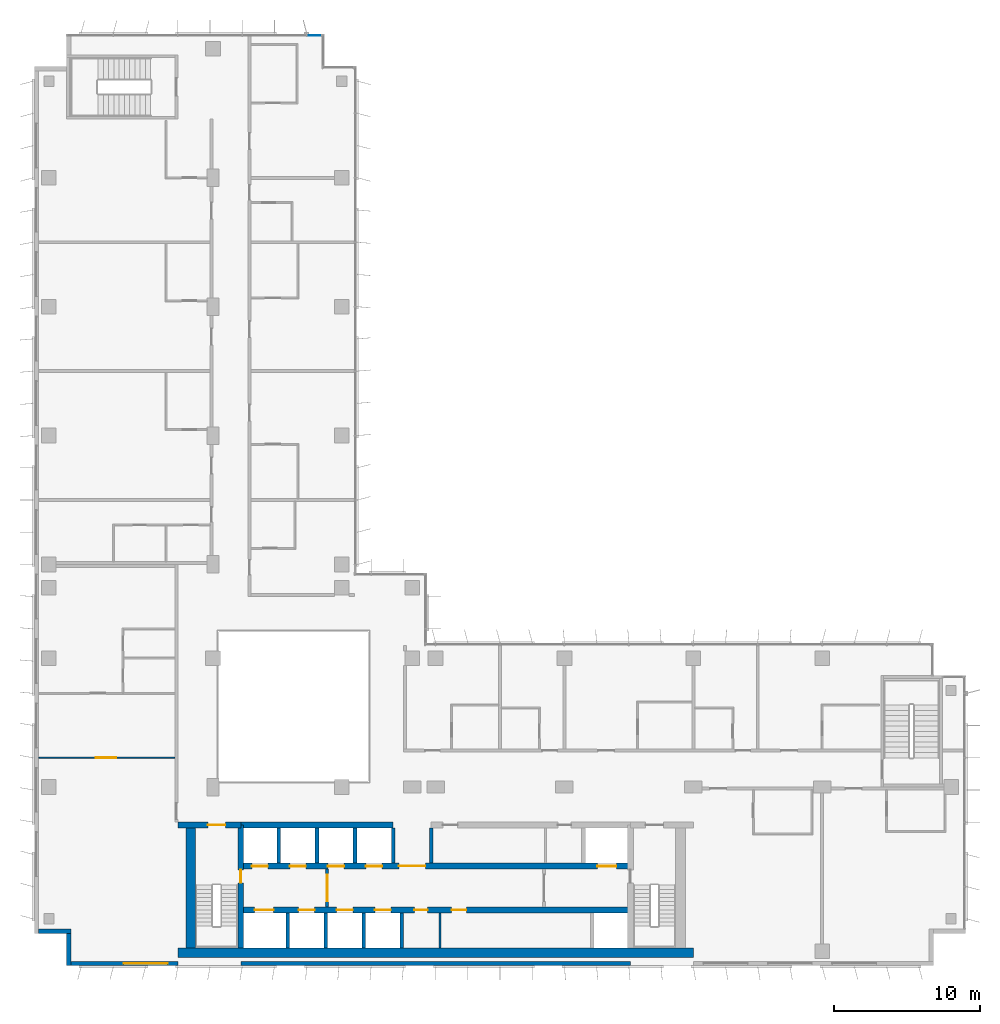
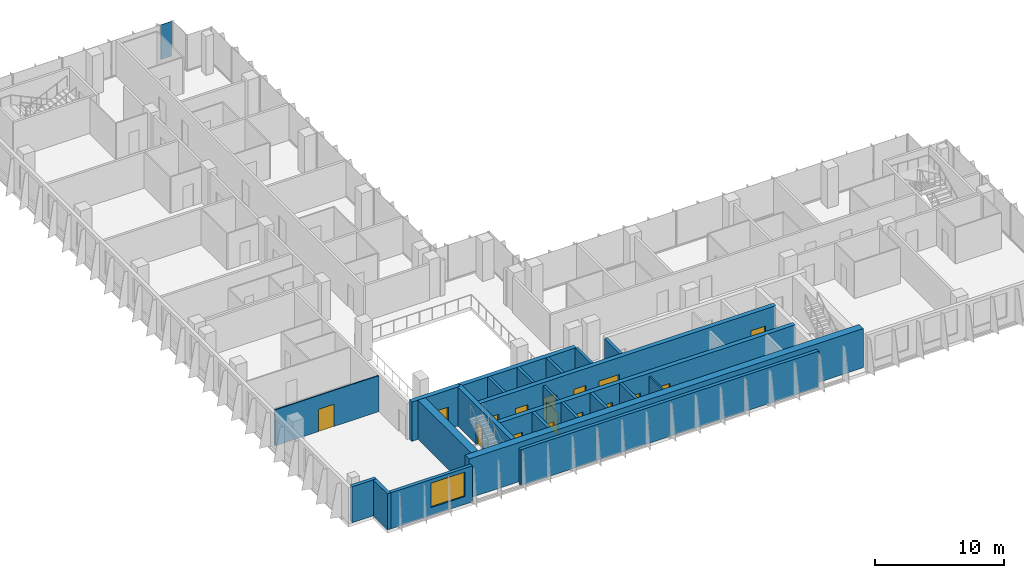
# One storey, part 12 of 20: 23 walls, 16 doors, 1 plate, 1 window, 17 openings, 1 element without a shape of its own.
"""IFC4 building model written with IfcOpenShell, lengths in metres."""

from ifc_helpers import new_model, si_unit, direction, frame, frame_2d, origin, origin_2d, place, context, subcontext, project, spatial, rectangle, extrude, source, transform, mapped, material, layer, layer_set, type_object, element, fill, aggregate, save


model = new_model("IFC4")

# Units and contexts
model_context = context("Model", 3, precision=1e-05, world=origin(), true_north=direction((0.0, 1.0)))
body_context = subcontext(model_context, "Body", "Model", "MODEL_VIEW")
ifc_project = project(units=[si_unit("LENGTHUNIT", "METRE"), si_unit("AREAUNIT", "SQUARE_METRE"), si_unit("VOLUMEUNIT", "CUBIC_METRE"), si_unit("PLANEANGLEUNIT", "RADIAN"), si_unit("MASSUNIT", "GRAM", prefix="KILO")], contexts=[model_context])

# Site, building, storey
site_placement = place(None, origin())
site = spatial("IfcSite", under=ifc_project, at=site_placement, CompositionType="ELEMENT")
building_placement = place(site_placement, origin())
building = spatial("IfcBuilding", under=site, at=building_placement, Name="Kemantara Hotel Tower", CompositionType="ELEMENT")
storey_placement = place(building_placement, frame((0.0, 0.0, 186.39990234375)))
storey = spatial("IfcBuildingStorey", under=building, at=storey_placement, Name="L46", CompositionType="ELEMENT", Elevation=186.39990234375)

# Curtain wall, plate
ifc_material_1 = material(Name="Low-E tinted double insulated glass 36 mm", Category="glass")
curtain_wall_type = type_object("IfcCurtainWallType", Name="TOWER CURTAIN WALL, FRONT FACES", PredefinedType="USERDEFINED", material=ifc_material_1)
curtain_wall_placement = place(storey_placement, origin())
curtain_wall = element("IfcCurtainWall", 1, at=curtain_wall_placement, inside=storey, type_object=curtain_wall_type, Name="CW4 L46 T3-R02-1", ObjectType="TOWER CURTAIN WALL, FRONT FACES", PredefinedType="USERDEFINED")
ifc_layer_1 = layer(ifc_material_1, 0.035888671875)
ifc_layer_set_1 = layer_set([ifc_layer_1], Name="Low-E tinted double insulated glass 36 mm")
plate_type = type_object("IfcPlateType", Name="TOWER CURTAIN WALL, FRONT FACES PANEL", PredefinedType="CURTAIN_PANEL", material=ifc_layer_set_1)
shared_shape = source(origin(), body_context, "Body", "SweptSolid", [
    extrude(rectangle(XDim=0.9599609375, YDim=0.035888671875, at=origin_2d()), origin(), (0.0, 0.0, 1.0), 3.280029296875),
])
plate_placement = place(storey_placement, frame((19.110107421875, 63.52490234375, 0.1201171875), z_axis=(0.0, 0.0, 1.0), x_axis=(-1.0, 0.0, 0.0)))
plate = element("IfcPlate", 2, at=plate_placement, type_object=plate_type, Name="CW4 glass panel T3-R02-1.1", PredefinedType="CURTAIN_PANEL", context=body_context, shape_type="MappedRepresentation", body=[
    mapped(shared_shape, transform((0.0, 0.0, 0.0))),
])
aggregate(curtain_wall, [plate])

# Walls
ifc_material_2 = material(Name="Bronze anodised aluminium cladding on insulated steel stud wall", Category="steel")
ifc_layer_2 = layer(ifc_material_2, 0.300048828125)
ifc_layer_set_2 = layer_set([ifc_layer_2], Name="Bronze anodised aluminium cladding on insulated steel stud wall")
wall_type_1 = type_object("IfcWallType", Name="BRONZE METAL-CLAD EXTERNAL WALL 300", PredefinedType="STANDARD", material=ifc_layer_set_2)
for number, where, z_axis, x_axis, name in (
    (3, (0.300048828125, 2.35009765625, 0.0), (0.0, 0.0, 1.0), (1.0, 0.0, 0.0), "EXTERNAL WALL L46 T3-R06"),
    (4, (2.35009765625, 2.199951171875, 0.0), (0.0, 0.0, 1.0), (0.0, -1.0, 0.0), "EXTERNAL WALL L46 T3-R07"),
):
    element("IfcWall", number, at=place(storey_placement, frame(where, z_axis=z_axis, x_axis=x_axis)), inside=storey, type_object=wall_type_1, Name=name, PredefinedType="STANDARD", context=body_context, shape_type="SweptSolid", body=[
        extrude(rectangle(XDim=2.199951171875, YDim=0.300048828125, at=frame_2d((1.10009765625, 0.0))), origin(), (0.0, 0.0, 1.0), 3.400146484375),
    ])

# Wall, opening, window
wall_1_placement = place(storey_placement, frame((2.5, 0.14990234375, 0.0), z_axis=(0.0, 0.0, 1.0), x_axis=(1.0, 0.0, 0.0)))
wall_1 = element("IfcWall", 5, at=wall_1_placement, inside=storey, type_object=wall_type_1, Name="EXTERNAL WALL L46 T3-R08", PredefinedType="STANDARD", context=body_context, shape_type="SweptSolid", body=[
    extrude(rectangle(XDim=7.300048828125, YDim=0.300048828125, at=frame_2d((3.64990234375, 0.0))), origin(), (0.0, 0.0, 1.0), 3.400146484375),
])
opening_1_placement = place(wall_1_placement, frame((3.60009765625, 0.0, 0.75)))
opening_1 = element("IfcOpeningElement", 6, at=opening_1_placement, cuts=wall_1, Name="Opening W1", PredefinedType="OPENING", context=body_context, shape_type="SweptSolid", body=[
    extrude(rectangle(XDim=3.0, YDim=2.300048828125, at=frame_2d((1.5, 1.14990234375))), frame((0.0, 0.159912109375, 0.0), z_axis=(0.0, -1.0, 0.0), x_axis=(1.0, 0.0, 0.0)), (0.0, 0.0, 1.0), 0.320068359375),
])
ifc_material_3 = material(Name="Low-E tinted double insulated glass in bronze anodised aluminium frame", Category="aluminium")
window_type = type_object("IfcWindowType", Name="CHICAGO WINDOW, TRIPLE PANEL 3000x2300", PartitioningType="TRIPLE_PANEL_VERTICAL", PredefinedType="WINDOW", material=ifc_material_3)
window_placement = place(opening_1_placement, origin())
window = element("IfcWindow", 7, at=window_placement, inside=storey, type_object=window_type, Name="CHICAGO WINDOW L46 T3-R08-54", OverallHeight=2.300048828125, OverallWidth=3.0, PartitioningType="SINGLE_PANEL", PredefinedType="WINDOW", context=body_context, shape_type="SweptSolid", body=[
    extrude(rectangle(XDim=3.0, YDim=2.300048828125, at=frame_2d((1.5, 1.14990234375))), frame((0.0, 0.030029296875, 0.0), z_axis=(0.0, -1.0, 0.0), x_axis=(1.0, 0.0, 0.0)), (0.0, 0.0, 1.0), 0.06005859375),
])
fill(opening_1, window)

# Walls
wall_2_placement = place(storey_placement, frame((14.10009765625, 0.14990234375, 0.0), z_axis=(0.0, 0.0, 1.0), x_axis=(1.0, 0.0, 0.0)))
element("IfcWall", 8, at=wall_2_placement, inside=storey, type_object=wall_type_1, Name="EXTERNAL WALL L46 T3-R08-2", PredefinedType="STANDARD", context=body_context, shape_type="SweptSolid", body=[
    extrude(rectangle(XDim=26.599853515625, YDim=0.300048828125, at=frame_2d((13.2998046875, 0.0))), origin(), (0.0, 0.0, 1.0), 3.400146484375),
])
ifc_material_4 = material(Name="Concrete fc 60 MPa", Category="concrete")
ifc_layer_3 = layer(ifc_material_4, 0.25)
ifc_layer_set_3 = layer_set([ifc_layer_3], Name="Concrete fc 60 MPa")
wall_type_2 = type_object("IfcWallType", Name="CORE WALL 250 FC60", PredefinedType="SHEAR", material=ifc_layer_set_3)
for number, where, z_axis, x_axis, name in (
    (9, (17.300048828125, 1.199951171875, 0.0), (0.0, 0.0, 1.0), (0.0, 1.0, 0.0), "CORE WALL CW-DS17.3"),
    (10, (19.89990234375, 1.199951171875, 0.0), (0.0, 0.0, 1.0), (0.0, 1.0, 0.0), "CORE WALL CW-DS19.9"),
    (11, (22.5, 1.199951171875, 0.0), (0.0, 0.0, 1.0), (0.0, 1.0, 0.0), "CORE WALL CW-DS22.5"),
    (12, (25.10009765625, 1.199951171875, 0.0), (0.0, 0.0, 1.0), (0.0, 1.0, 0.0), "CORE WALL CW-DS25.1"),
):
    element("IfcWall", number, at=place(storey_placement, frame(where, z_axis=z_axis, x_axis=x_axis)), inside=storey, type_object=wall_type_2, Name=name, PredefinedType="SHEAR", context=body_context, shape_type="SweptSolid", body=[
        extrude(rectangle(XDim=2.400146484375, YDim=0.25, at=frame_2d((1.2001953125, 0.0))), origin(), (0.0, 0.0, 1.0), 3.7001953125),
    ])
for number, where, z_axis, x_axis, name in (
    (13, (16.699951171875, 7.0, 0.0), (0.0, 0.0, 1.0), (0.0, 1.0, 0.0), "CORE WALL CW-DN16.7"),
    (14, (19.300048828125, 7.0, 0.0), (0.0, 0.0, 1.0), (0.0, 1.0, 0.0), "CORE WALL CW-DN19.3"),
    (15, (21.89990234375, 7.0, 0.0), (0.0, 0.0, 1.0), (0.0, 1.0, 0.0), "CORE WALL CW-DN21.9"),
    (16, (24.5, 7.0, 0.0), (0.0, 0.0, 1.0), (0.0, 1.0, 0.0), "CORE WALL CW-DN24.5"),
    (17, (27.10009765625, 7.0, 0.0), (0.0, 0.0, 1.0), (0.0, 1.0, 0.0), "CORE WALL CW-DN27.1"),
):
    element("IfcWall", number, at=place(storey_placement, frame(where, z_axis=z_axis, x_axis=x_axis)), inside=storey, type_object=wall_type_2, Name=name, PredefinedType="SHEAR", context=body_context, shape_type="SweptSolid", body=[
        extrude(rectangle(XDim=2.39990234375, YDim=0.25, at=frame_2d((1.199951171875, 0.0))), origin(), (0.0, 0.0, 1.0), 3.7001953125),
    ])

# Wall, opening, door
ifc_layer_4 = layer(ifc_material_4, 0.39990234375)
ifc_layer_set_4 = layer_set([ifc_layer_4], Name="Concrete fc 60 MPa")
wall_type_3 = type_object("IfcWallType", Name="CORE WALL 400 FC60", PredefinedType="SHEAR", material=ifc_layer_set_4)
wall_3_placement = place(storey_placement, frame((9.800048828125, 9.60009765625, 0.0), z_axis=(0.0, 0.0, 1.0), x_axis=(1.0, 0.0, 0.0)))
wall_3 = element("IfcWall", 18, at=wall_3_placement, inside=storey, type_object=wall_type_3, Name="CORE WALL CW-N1", PredefinedType="SHEAR", context=body_context, shape_type="SweptSolid", body=[
    extrude(rectangle(XDim=4.300048828125, YDim=0.39990234375, at=frame_2d((2.14990234375, 0.0))), origin(), (0.0, 0.0, 1.0), 3.7001953125),
])
opening_2_placement = place(wall_3_placement, frame((2.050048828125, 0.0, 0.0)))
opening_2 = element("IfcOpeningElement", 19, at=opening_2_placement, cuts=wall_3, Name="Opening C27-ST1-C", PredefinedType="OPENING", context=body_context, shape_type="SweptSolid", body=[
    extrude(rectangle(XDim=1.199951171875, YDim=2.10009765625, at=frame_2d((0.60009765625, 1.050048828125))), frame((0.0, 0.2099609375, 0.0), z_axis=(0.0, -1.0, 0.0), x_axis=(1.0, 0.0, 0.0)), (0.0, 0.0, 1.0), 0.419921875),
])
ifc_material_5 = material(Name="Steel fire door", Category="steel")
door_type_1 = type_object("IfcDoorType", Name="Fire door FD90 1200 x 2100", OperationType="NOTDEFINED", PredefinedType="DOOR", material=ifc_material_5)
door_1_placement = place(opening_2_placement, frame((1.199951171875, 0.0, 0.0), z_axis=(0.0, 0.0, 1.0), x_axis=(-1.0, 0.0, 0.0)))
door_1 = element("IfcDoor", 20, at=door_1_placement, inside=storey, type_object=door_type_1, Name="Stair ST1 door to corridor", OperationType="SINGLE_SWING_LEFT", OverallHeight=2.10009765625, OverallWidth=1.199951171875, PredefinedType="DOOR", context=body_context, shape_type="SweptSolid", body=[
    extrude(rectangle(XDim=1.199951171875, YDim=2.10009765625, at=frame_2d((0.60009765625, 1.050048828125))), frame((0.0, 0.02490234375, 0.0), z_axis=(0.0, -1.0, 0.0), x_axis=(1.0, 0.0, 0.0)), (0.0, 0.0, 1.0), 0.050048828125),
])
fill(opening_2, door_1)

# Wall
wall_4_placement = place(storey_placement, frame((14.10009765625, 9.60009765625, 0.0), z_axis=(0.0, 0.0, 1.0), x_axis=(1.0, 0.0, 0.0)))
element("IfcWall", 21, at=wall_4_placement, inside=storey, type_object=wall_type_3, Name="CORE WALL CW-NN1", PredefinedType="SHEAR", context=body_context, shape_type="SweptSolid", body=[
    extrude(rectangle(XDim=10.39990234375, YDim=0.39990234375, at=frame_2d((5.199951171875, 0.0))), origin(), (0.0, 0.0, 1.0), 3.7001953125),
])

# Wall, openings, doors
wall_5_placement = place(storey_placement, frame((14.10009765625, 3.800048828125, 0.0), z_axis=(0.0, 0.0, 1.0), x_axis=(1.0, 0.0, 0.0)))
wall_5 = element("IfcWall", 22, at=wall_5_placement, inside=storey, type_object=wall_type_3, Name="CORE WALL CW-L1", PredefinedType="SHEAR", context=body_context, shape_type="SweptSolid", body=[
    extrude(rectangle(XDim=26.599853515625, YDim=0.39990234375, at=frame_2d((13.2998046875, 0.0))), origin(), (0.0, 0.0, 1.0), 3.7001953125),
])
opening_3_placement = place(wall_5_placement, frame((0.949951171875, 0.0, 0.0)))
opening_3 = element("IfcOpeningElement", 23, at=opening_3_placement, cuts=wall_5, Name="Opening C27-LD-FF1", PredefinedType="OPENING", context=body_context, shape_type="SweptSolid", body=[
    extrude(rectangle(XDim=1.300048828125, YDim=2.10009765625, at=frame_2d((0.64990234375, 1.050048828125))), frame((0.0, 0.2099609375, 0.0), z_axis=(0.0, -1.0, 0.0), x_axis=(1.0, 0.0, 0.0)), (0.0, 0.0, 1.0), 0.419921875),
])
opening_4_placement = place(wall_5_placement, frame((3.949951171875, 0.0, 0.0)))
opening_4 = element("IfcOpeningElement", 24, at=opening_4_placement, cuts=wall_5, Name="Opening C27-LD-SV1", PredefinedType="OPENING", context=body_context, shape_type="SweptSolid", body=[
    extrude(rectangle(XDim=1.10009765625, YDim=2.10009765625, at=frame_2d((0.550048828125, 1.050048828125))), frame((0.0, 0.2099609375, 0.0), z_axis=(0.0, -1.0, 0.0), x_axis=(1.0, 0.0, 0.0)), (0.0, 0.0, 1.0), 0.419921875),
])
opening_5_placement = place(wall_5_placement, frame((6.550048828125, 0.0, 0.0)))
opening_5 = element("IfcOpeningElement", 25, at=opening_5_placement, cuts=wall_5, Name="Opening C27-LD-SV2", PredefinedType="OPENING", context=body_context, shape_type="SweptSolid", body=[
    extrude(rectangle(XDim=1.10009765625, YDim=2.10009765625, at=frame_2d((0.550048828125, 1.050048828125))), frame((0.0, 0.2099609375, 0.0), z_axis=(0.0, -1.0, 0.0), x_axis=(1.0, 0.0, 0.0)), (0.0, 0.0, 1.0), 0.419921875),
])
opening_6_placement = place(wall_5_placement, frame((9.14990234375, 0.0, 0.0)))
opening_6 = element("IfcOpeningElement", 26, at=opening_6_placement, cuts=wall_5, Name="Opening C27-LD-SV3", PredefinedType="OPENING", context=body_context, shape_type="SweptSolid", body=[
    extrude(rectangle(XDim=1.10009765625, YDim=2.10009765625, at=frame_2d((0.550048828125, 1.050048828125))), frame((0.0, 0.2099609375, 0.0), z_axis=(0.0, -1.0, 0.0), x_axis=(1.0, 0.0, 0.0)), (0.0, 0.0, 1.0), 0.419921875),
])
opening_7_placement = place(wall_5_placement, frame((11.85009765625, 0.0, 0.0)))
opening_7 = element("IfcOpeningElement", 27, at=opening_7_placement, cuts=wall_5, Name="Opening C27-R-SM1", PredefinedType="OPENING", context=body_context, shape_type="SweptSolid", body=[
    extrude(rectangle(XDim=0.89990234375, YDim=2.10009765625, at=frame_2d((0.449951171875, 1.050048828125))), frame((0.0, 0.2099609375, 0.0), z_axis=(0.0, -1.0, 0.0), x_axis=(1.0, 0.0, 0.0)), (0.0, 0.0, 1.0), 0.419921875),
])
opening_8_placement = place(wall_5_placement, frame((14.39990234375, 0.0, 0.0)))
opening_8 = element("IfcOpeningElement", 28, at=opening_8_placement, cuts=wall_5, Name="Opening C27-R-SM2", PredefinedType="OPENING", context=body_context, shape_type="SweptSolid", body=[
    extrude(rectangle(XDim=1.0, YDim=2.10009765625, at=frame_2d((0.5, 1.050048828125))), frame((0.0, 0.2099609375, 0.0), z_axis=(0.0, -1.0, 0.0), x_axis=(1.0, 0.0, 0.0)), (0.0, 0.0, 1.0), 0.419921875),
])
door_type_2 = type_object("IfcDoorType", Name="Fire door FD30S 1000 x 2100", OperationType="NOTDEFINED", PredefinedType="DOOR", material=ifc_material_5)
door_2_placement = place(opening_8_placement, frame((1.0, 0.0, 0.0), z_axis=(0.0, 0.0, 1.0), x_axis=(-1.0, 0.0, 0.0)))
door_2 = element("IfcDoor", 29, at=door_2_placement, inside=storey, type_object=door_type_2, Name="Guest Pantry door", OperationType="SINGLE_SWING_LEFT", OverallHeight=2.10009765625, OverallWidth=1.0, PredefinedType="DOOR", context=body_context, shape_type="SweptSolid", body=[
    extrude(rectangle(XDim=1.0, YDim=2.10009765625, at=frame_2d((0.5, 1.050048828125))), frame((0.0, 0.02490234375, 0.0), z_axis=(0.0, -1.0, 0.0), x_axis=(1.0, 0.0, 0.0)), (0.0, 0.0, 1.0), 0.050048828125),
])
fill(opening_8, door_2)
door_type_3 = type_object("IfcDoorType", Name="Fire door FD60 900 x 2100", OperationType="NOTDEFINED", PredefinedType="DOOR", material=ifc_material_5)
door_3_placement = place(opening_7_placement, frame((0.89990234375, 0.0, 0.0), z_axis=(0.0, 0.0, 1.0), x_axis=(-1.0, 0.0, 0.0)))
door_3 = element("IfcDoor", 30, at=door_3_placement, inside=storey, type_object=door_type_3, Name="Electrical Riser Room door", OperationType="SINGLE_SWING_RIGHT", OverallHeight=2.10009765625, OverallWidth=0.89990234375, PredefinedType="DOOR", context=body_context, shape_type="SweptSolid", body=[
    extrude(rectangle(XDim=0.89990234375, YDim=2.10009765625, at=frame_2d((0.449951171875, 1.050048828125))), frame((0.0, 0.02490234375, 0.0), z_axis=(0.0, -1.0, 0.0), x_axis=(1.0, 0.0, 0.0)), (0.0, 0.0, 1.0), 0.050048828125),
])
fill(opening_7, door_3)
ifc_material_6 = material(Name="Stainless steel lift door", Category="steel")
door_type_4 = type_object("IfcDoorType", Name="Lift landing door 1100 x 2100 FD60", OperationType="DOUBLE_DOOR_SLIDING", PredefinedType="DOOR", material=ifc_material_6)
door_4_placement = place(opening_4_placement, origin())
door_4 = element("IfcDoor", 31, at=door_4_placement, inside=storey, type_object=door_type_4, Name="Lift SV1 landing door", OperationType="DOUBLE_DOOR_SLIDING", OverallHeight=2.10009765625, OverallWidth=1.10009765625, PredefinedType="DOOR", context=body_context, shape_type="SweptSolid", body=[
    extrude(rectangle(XDim=1.10009765625, YDim=2.10009765625, at=frame_2d((0.550048828125, 1.050048828125))), frame((0.0, 0.02490234375, 0.0), z_axis=(0.0, -1.0, 0.0), x_axis=(1.0, 0.0, 0.0)), (0.0, 0.0, 1.0), 0.050048828125),
])
fill(opening_4, door_4)
door_5_placement = place(opening_5_placement, origin())
door_5 = element("IfcDoor", 32, at=door_5_placement, inside=storey, type_object=door_type_4, Name="Lift SV2 landing door", OperationType="DOUBLE_DOOR_SLIDING", OverallHeight=2.10009765625, OverallWidth=1.10009765625, PredefinedType="DOOR", context=body_context, shape_type="SweptSolid", body=[
    extrude(rectangle(XDim=1.10009765625, YDim=2.10009765625, at=frame_2d((0.550048828125, 1.050048828125))), frame((0.0, 0.02490234375, 0.0), z_axis=(0.0, -1.0, 0.0), x_axis=(1.0, 0.0, 0.0)), (0.0, 0.0, 1.0), 0.050048828125),
])
fill(opening_5, door_5)
door_6_placement = place(opening_6_placement, origin())
door_6 = element("IfcDoor", 33, at=door_6_placement, inside=storey, type_object=door_type_4, Name="Lift SV3 landing door", OperationType="DOUBLE_DOOR_SLIDING", OverallHeight=2.10009765625, OverallWidth=1.10009765625, PredefinedType="DOOR", context=body_context, shape_type="SweptSolid", body=[
    extrude(rectangle(XDim=1.10009765625, YDim=2.10009765625, at=frame_2d((0.550048828125, 1.050048828125))), frame((0.0, 0.02490234375, 0.0), z_axis=(0.0, -1.0, 0.0), x_axis=(1.0, 0.0, 0.0)), (0.0, 0.0, 1.0), 0.050048828125),
])
fill(opening_6, door_6)
door_type_5 = type_object("IfcDoorType", Name="Lift landing door 1300 x 2100 FD90", OperationType="DOUBLE_DOOR_SLIDING", PredefinedType="DOOR", material=ifc_material_6)
door_7_placement = place(opening_3_placement, origin())
door_7 = element("IfcDoor", 34, at=door_7_placement, inside=storey, type_object=door_type_5, Name="Lift FF1 landing door", OperationType="DOUBLE_DOOR_SLIDING", OverallHeight=2.10009765625, OverallWidth=1.300048828125, PredefinedType="DOOR", context=body_context, shape_type="SweptSolid", body=[
    extrude(rectangle(XDim=1.300048828125, YDim=2.10009765625, at=frame_2d((0.64990234375, 1.050048828125))), frame((0.0, 0.02490234375, 0.0), z_axis=(0.0, -1.0, 0.0), x_axis=(1.0, 0.0, 0.0)), (0.0, 0.0, 1.0), 0.050048828125),
])
fill(opening_3, door_7)

wall_6_placement = place(storey_placement, frame((14.10009765625, 6.800048828125, 0.0), z_axis=(0.0, 0.0, 1.0), x_axis=(1.0, 0.0, 0.0)))
wall_6 = element("IfcWall", 35, at=wall_6_placement, inside=storey, type_object=wall_type_3, Name="CORE WALL CW-L2", PredefinedType="SHEAR", context=body_context, shape_type="SweptSolid", body=[
    extrude(rectangle(XDim=26.599853515625, YDim=0.39990234375, at=frame_2d((13.2998046875, 0.0))), origin(), (0.0, 0.0, 1.0), 3.7001953125),
])
opening_9_placement = place(wall_6_placement, frame((10.800048828125, 0.0, 0.0)))
opening_9 = element("IfcOpeningElement", 36, at=opening_9_placement, cuts=wall_6, Name="Opening C27-VL", PredefinedType="OPENING", context=body_context, shape_type="SweptSolid", body=[
    extrude(rectangle(XDim=1.800048828125, YDim=2.10009765625, at=frame_2d((0.89990234375, 1.050048828125))), frame((0.0, 0.2099609375, 0.0), z_axis=(0.0, -1.0, 0.0), x_axis=(1.0, 0.0, 0.0)), (0.0, 0.0, 1.0), 0.419921875),
])
opening_10_placement = place(wall_6_placement, frame((0.75, 0.0, 0.0)))
opening_10 = element("IfcOpeningElement", 37, at=opening_10_placement, cuts=wall_6, Name="Opening C27-LD-MR1", PredefinedType="OPENING", context=body_context, shape_type="SweptSolid", body=[
    extrude(rectangle(XDim=1.10009765625, YDim=2.10009765625, at=frame_2d((0.550048828125, 1.050048828125))), frame((0.0, 0.2099609375, 0.0), z_axis=(0.0, -1.0, 0.0), x_axis=(1.0, 0.0, 0.0)), (0.0, 0.0, 1.0), 0.419921875),
])
opening_11_placement = place(wall_6_placement, frame((3.35009765625, 0.0, 0.0)))
opening_11 = element("IfcOpeningElement", 38, at=opening_11_placement, cuts=wall_6, Name="Opening C27-LD-MR2", PredefinedType="OPENING", context=body_context, shape_type="SweptSolid", body=[
    extrude(rectangle(XDim=1.10009765625, YDim=2.10009765625, at=frame_2d((0.550048828125, 1.050048828125))), frame((0.0, 0.2099609375, 0.0), z_axis=(0.0, -1.0, 0.0), x_axis=(1.0, 0.0, 0.0)), (0.0, 0.0, 1.0), 0.419921875),
])
opening_12_placement = place(wall_6_placement, frame((5.949951171875, 0.0, 0.0)))
opening_12 = element("IfcOpeningElement", 39, at=opening_12_placement, cuts=wall_6, Name="Opening C27-LD-MR3", PredefinedType="OPENING", context=body_context, shape_type="SweptSolid", body=[
    extrude(rectangle(XDim=1.10009765625, YDim=2.10009765625, at=frame_2d((0.550048828125, 1.050048828125))), frame((0.0, 0.2099609375, 0.0), z_axis=(0.0, -1.0, 0.0), x_axis=(1.0, 0.0, 0.0)), (0.0, 0.0, 1.0), 0.419921875),
])
opening_13_placement = place(wall_6_placement, frame((8.550048828125, 0.0, 0.0)))
opening_13 = element("IfcOpeningElement", 40, at=opening_13_placement, cuts=wall_6, Name="Opening C27-LD-MR4", PredefinedType="OPENING", context=body_context, shape_type="SweptSolid", body=[
    extrude(rectangle(XDim=1.10009765625, YDim=2.10009765625, at=frame_2d((0.550048828125, 1.050048828125))), frame((0.0, 0.2099609375, 0.0), z_axis=(0.0, -1.0, 0.0), x_axis=(1.0, 0.0, 0.0)), (0.0, 0.0, 1.0), 0.419921875),
])
opening_14_placement = place(wall_6_placement, frame((24.35009765625, 0.0, 0.0)))
opening_14 = element("IfcOpeningElement", 41, at=opening_14_placement, cuts=wall_6, Name="Opening C27-LD-FF2", PredefinedType="OPENING", context=body_context, shape_type="SweptSolid", body=[
    extrude(rectangle(XDim=1.300048828125, YDim=2.10009765625, at=frame_2d((0.64990234375, 1.050048828125))), frame((0.0, 0.2099609375, 0.0), z_axis=(0.0, -1.0, 0.0), x_axis=(1.0, 0.0, 0.0)), (0.0, 0.0, 1.0), 0.419921875),
])
door_type_6 = type_object("IfcDoorType", Name="Fire door pair FD60 1800 x 2100", OperationType="DOUBLE_DOOR_SINGLE_SWING", PredefinedType="DOOR", material=ifc_material_5)
door_8_placement = place(opening_9_placement, frame((1.800048828125, 0.0, 0.0), z_axis=(0.0, 0.0, 1.0), x_axis=(-1.0, 0.0, 0.0)))
door_8 = element("IfcDoor", 42, at=door_8_placement, inside=storey, type_object=door_type_6, Name="Lift lobby entry door", OperationType="DOUBLE_DOOR_SINGLE_SWING", OverallHeight=2.10009765625, OverallWidth=1.800048828125, PredefinedType="DOOR", context=body_context, shape_type="SweptSolid", body=[
    extrude(rectangle(XDim=1.800048828125, YDim=2.10009765625, at=frame_2d((0.89990234375, 1.050048828125))), frame((0.0, 0.02490234375, 0.0), z_axis=(0.0, -1.0, 0.0), x_axis=(1.0, 0.0, 0.0)), (0.0, 0.0, 1.0), 0.050048828125),
])
fill(opening_9, door_8)
door_9_placement = place(opening_10_placement, origin())
door_9 = element("IfcDoor", 43, at=door_9_placement, inside=storey, type_object=door_type_4, Name="Lift MR1 landing door", OperationType="DOUBLE_DOOR_SLIDING", OverallHeight=2.10009765625, OverallWidth=1.10009765625, PredefinedType="DOOR", context=body_context, shape_type="SweptSolid", body=[
    extrude(rectangle(XDim=1.10009765625, YDim=2.10009765625, at=frame_2d((0.550048828125, 1.050048828125))), frame((0.0, 0.02490234375, 0.0), z_axis=(0.0, -1.0, 0.0), x_axis=(1.0, 0.0, 0.0)), (0.0, 0.0, 1.0), 0.050048828125),
])
fill(opening_10, door_9)
door_10_placement = place(opening_11_placement, origin())
door_10 = element("IfcDoor", 44, at=door_10_placement, inside=storey, type_object=door_type_4, Name="Lift MR2 landing door", OperationType="DOUBLE_DOOR_SLIDING", OverallHeight=2.10009765625, OverallWidth=1.10009765625, PredefinedType="DOOR", context=body_context, shape_type="SweptSolid", body=[
    extrude(rectangle(XDim=1.10009765625, YDim=2.10009765625, at=frame_2d((0.550048828125, 1.050048828125))), frame((0.0, 0.02490234375, 0.0), z_axis=(0.0, -1.0, 0.0), x_axis=(1.0, 0.0, 0.0)), (0.0, 0.0, 1.0), 0.050048828125),
])
fill(opening_11, door_10)
door_11_placement = place(opening_12_placement, origin())
door_11 = element("IfcDoor", 45, at=door_11_placement, inside=storey, type_object=door_type_4, Name="Lift MR3 landing door", OperationType="DOUBLE_DOOR_SLIDING", OverallHeight=2.10009765625, OverallWidth=1.10009765625, PredefinedType="DOOR", context=body_context, shape_type="SweptSolid", body=[
    extrude(rectangle(XDim=1.10009765625, YDim=2.10009765625, at=frame_2d((0.550048828125, 1.050048828125))), frame((0.0, 0.02490234375, 0.0), z_axis=(0.0, -1.0, 0.0), x_axis=(1.0, 0.0, 0.0)), (0.0, 0.0, 1.0), 0.050048828125),
])
fill(opening_12, door_11)
door_12_placement = place(opening_13_placement, origin())
door_12 = element("IfcDoor", 46, at=door_12_placement, inside=storey, type_object=door_type_4, Name="Lift MR4 landing door", OperationType="DOUBLE_DOOR_SLIDING", OverallHeight=2.10009765625, OverallWidth=1.10009765625, PredefinedType="DOOR", context=body_context, shape_type="SweptSolid", body=[
    extrude(rectangle(XDim=1.10009765625, YDim=2.10009765625, at=frame_2d((0.550048828125, 1.050048828125))), frame((0.0, 0.02490234375, 0.0), z_axis=(0.0, -1.0, 0.0), x_axis=(1.0, 0.0, 0.0)), (0.0, 0.0, 1.0), 0.050048828125),
])
fill(opening_13, door_12)
door_13_placement = place(opening_14_placement, origin())
door_13 = element("IfcDoor", 47, at=door_13_placement, inside=storey, type_object=door_type_5, Name="Lift FF2 landing door", OperationType="DOUBLE_DOOR_SLIDING", OverallHeight=2.10009765625, OverallWidth=1.300048828125, PredefinedType="DOOR", context=body_context, shape_type="SweptSolid", body=[
    extrude(rectangle(XDim=1.300048828125, YDim=2.10009765625, at=frame_2d((0.64990234375, 1.050048828125))), frame((0.0, 0.02490234375, 0.0), z_axis=(0.0, -1.0, 0.0), x_axis=(1.0, 0.0, 0.0)), (0.0, 0.0, 1.0), 0.050048828125),
])
fill(opening_14, door_13)

# Wall, opening, door
wall_7_placement = place(storey_placement, frame((14.10009765625, 1.199951171875, 0.0), z_axis=(0.0, 0.0, 1.0), x_axis=(0.0, 1.0, 0.0)))
wall_7 = element("IfcWall", 48, at=wall_7_placement, inside=storey, type_object=wall_type_3, Name="CORE WALL CW-ST1E", PredefinedType="SHEAR", context=body_context, shape_type="SweptSolid", body=[
    extrude(rectangle(XDim=8.400146484375, YDim=0.39990234375, at=frame_2d((4.2001953125, 0.0))), origin(), (0.0, 0.0, 1.0), 3.7001953125),
])
opening_15_placement = place(wall_7_placement, frame((4.449951171875, 0.0, 0.0)))
opening_15 = element("IfcOpeningElement", 49, at=opening_15_placement, cuts=wall_7, Name="Opening C27-ST1-F", PredefinedType="OPENING", context=body_context, shape_type="SweptSolid", body=[
    extrude(rectangle(XDim=0.89990234375, YDim=2.10009765625, at=frame_2d((0.449951171875, 1.050048828125))), frame((0.0, 0.2099609375, 0.0), z_axis=(0.0, -1.0, 0.0), x_axis=(1.0, 0.0, 0.0)), (0.0, 0.0, 1.0), 0.419921875),
])
door_type_7 = type_object("IfcDoorType", Name="Fire door FD90 900 x 2100", OperationType="NOTDEFINED", PredefinedType="DOOR", material=ifc_material_5)
door_14_placement = place(opening_15_placement, origin())
door_14 = element("IfcDoor", 50, at=door_14_placement, inside=storey, type_object=door_type_7, Name="Stair ST1 door to firefighting lobby", OperationType="SINGLE_SWING_RIGHT", OverallHeight=2.10009765625, OverallWidth=0.89990234375, PredefinedType="DOOR", context=body_context, shape_type="SweptSolid", body=[
    extrude(rectangle(XDim=0.89990234375, YDim=2.10009765625, at=frame_2d((0.449951171875, 1.050048828125))), frame((0.0, 0.02490234375, 0.0), z_axis=(0.0, -1.0, 0.0), x_axis=(1.0, 0.0, 0.0)), (0.0, 0.0, 1.0), 0.050048828125),
])
fill(opening_15, door_14)

# Walls
ifc_layer_5 = layer(ifc_material_4, 0.64990234375)
ifc_layer_set_5 = layer_set([ifc_layer_5], Name="Concrete fc 60 MPa")
wall_type_4 = type_object("IfcWallType", Name="CORE WALL 650 FC60", PredefinedType="SHEAR", material=ifc_layer_set_5)
wall_8_placement = place(storey_placement, frame((9.800048828125, 0.875, 0.0), z_axis=(0.0, 0.0, 1.0), x_axis=(1.0, 0.0, 0.0)))
element("IfcWall", 51, at=wall_8_placement, inside=storey, type_object=wall_type_4, Name="CORE WALL CW-S", PredefinedType="SHEAR", context=body_context, shape_type="SweptSolid", body=[
    extrude(rectangle(XDim=35.199951171875, YDim=0.64990234375, at=frame_2d((17.60009765625, 0.0))), origin(), (0.0, 0.0, 1.0), 3.7001953125),
])
wall_9_placement = place(storey_placement, frame((10.675048828125, 1.199951171875, 0.0), z_axis=(0.0, 0.0, 1.0), x_axis=(0.0, 1.0, 0.0)))
element("IfcWall", 52, at=wall_9_placement, inside=storey, type_object=wall_type_4, Name="CORE WALL CW-W", PredefinedType="SHEAR", context=body_context, shape_type="SweptSolid", body=[
    extrude(rectangle(XDim=8.60009765625, YDim=0.64990234375, at=frame_2d((4.300048828125, 0.0))), origin(), (0.0, 0.0, 1.0), 3.7001953125),
])
ifc_material_7 = material(Name="Gypsum board partition")
ifc_layer_6 = layer(ifc_material_7, 0.14990234375)
ifc_layer_set_6 = layer_set([ifc_layer_6], Name="Gypsum board partition")
wall_type_5 = type_object("IfcWallType", Name="Gypsum board partition 150 mm", PredefinedType="PARTITIONING", material=ifc_layer_set_6)
wall_10_placement = place(storey_placement, frame((27.699951171875, 1.199951171875, 0.0), z_axis=(0.0, 0.0, 1.0), x_axis=(0.0, 1.0, 0.0)))
element("IfcWall", 53, at=wall_10_placement, inside=storey, type_object=wall_type_5, Name="Core room partition", PredefinedType="PARTITIONING", context=body_context, shape_type="SweptSolid", body=[
    extrude(rectangle(XDim=2.400146484375, YDim=0.14990234375, at=frame_2d((1.2001953125, 0.0))), origin(), (0.0, 0.0, 1.0), 3.400146484375),
])

# Wall, opening, door
ifc_material_8 = material(Name="Gypsum board shaft wall")
ifc_layer_7 = layer(ifc_material_8, 0.199951171875)
ifc_layer_set_7 = layer_set([ifc_layer_7], Name="Gypsum board shaft wall")
wall_type_6 = type_object("IfcWallType", Name="Gypsum board shaft wall 200 mm", PredefinedType="PARTITIONING", material=ifc_layer_set_7)
wall_11_placement = place(storey_placement, frame((20.0, 4.0, 0.0), z_axis=(0.0, 0.0, 1.0), x_axis=(0.0, 1.0, 0.0)))
wall_11 = element("IfcWall", 54, at=wall_11_placement, inside=storey, type_object=wall_type_6, Name="Firefighting lobby partition west", PredefinedType="PARTITIONING", context=body_context, shape_type="SweptSolid", body=[
    extrude(rectangle(XDim=2.60009765625, YDim=0.199951171875, at=frame_2d((1.300048828125, 0.0))), origin(), (0.0, 0.0, 1.0), 3.400146484375),
])
opening_16_placement = place(wall_11_placement, frame((0.39990234375, 0.0, 0.0)))
opening_16 = element("IfcOpeningElement", 55, at=opening_16_placement, cuts=wall_11, Name="Opening C27-FFW", PredefinedType="OPENING", context=body_context, shape_type="SweptSolid", body=[
    extrude(rectangle(XDim=1.800048828125, YDim=2.10009765625, at=frame_2d((0.89990234375, 1.050048828125))), frame((0.0, 0.10986328125, 0.0), z_axis=(0.0, -1.0, 0.0), x_axis=(1.0, 0.0, 0.0)), (0.0, 0.0, 1.0), 0.219970703125),
])
door_15_placement = place(opening_16_placement, origin())
door_15 = element("IfcDoor", 56, at=door_15_placement, inside=storey, type_object=door_type_6, Name="Firefighting lobby door west", OperationType="DOUBLE_DOOR_SINGLE_SWING", OverallHeight=2.10009765625, OverallWidth=1.800048828125, PredefinedType="DOOR", context=body_context, shape_type="SweptSolid", body=[
    extrude(rectangle(XDim=1.800048828125, YDim=2.10009765625, at=frame_2d((0.89990234375, 1.050048828125))), frame((0.0, 0.02490234375, 0.0), z_axis=(0.0, -1.0, 0.0), x_axis=(1.0, 0.0, 0.0)), (0.0, 0.0, 1.0), 0.050048828125),
])
fill(opening_16, door_15)

ifc_material_9 = material(Name="Gypsum board partition on steel studs, 100 mm", Category="steel")
ifc_layer_8 = layer(ifc_material_9, 0.10009765625)
ifc_layer_set_8 = layer_set([ifc_layer_8], Name="Gypsum board partition on steel studs, 100 mm")
wall_type_7 = type_object("IfcWallType", Name="ROOM PARTITION 100", PredefinedType="PARTITIONING", material=ifc_layer_set_8)
wall_12_placement = place(storey_placement, frame((0.31005859375, 14.199951171875, 0.0), z_axis=(0.0, 0.0, 1.0), x_axis=(1.0, 0.0, 0.0)))
wall_12 = element("IfcWall", 57, at=wall_12_placement, inside=storey, type_object=wall_type_7, Name="ROOM PARTITION 100 046", PredefinedType="PARTITIONING", context=body_context, shape_type="SweptSolid", body=[
    extrude(rectangle(XDim=9.2900390625, YDim=0.10009765625, at=frame_2d((4.64501953125, 0.0))), origin(), (0.0, 0.0, 1.0), 3.400146484375),
])
opening_17_placement = place(wall_12_placement, frame((3.889892578125, 0.0, 0.0)))
opening_17 = element("IfcOpeningElement", 58, at=opening_17_placement, cuts=wall_12, Name="Opening F22-016", PredefinedType="OPENING", context=body_context, shape_type="SweptSolid", body=[
    extrude(rectangle(XDim=1.39990234375, YDim=2.10009765625, at=frame_2d((0.699951171875, 1.050048828125))), frame((0.0, 0.06005859375, 0.0), z_axis=(0.0, -1.0, 0.0), x_axis=(1.0, 0.0, 0.0)), (0.0, 0.0, 1.0), 0.1201171875),
])
ifc_material_10 = material(Name="Hardwood veneer door leaf with steel frame", Category="steel")
door_type_8 = type_object("IfcDoorType", Name="INTERNAL DOOR 1400 X 2100", OperationType="NOTDEFINED", PredefinedType="DOOR", material=ifc_material_10)
door_16_placement = place(opening_17_placement, origin())
door_16 = element("IfcDoor", 59, at=door_16_placement, inside=storey, type_object=door_type_8, Name="INTERNAL DOOR F22-016", OperationType="DOUBLE_DOOR_SINGLE_SWING", OverallHeight=2.10009765625, OverallWidth=1.39990234375, PredefinedType="DOOR", context=body_context, shape_type="SweptSolid", body=[
    extrude(rectangle(XDim=1.39990234375, YDim=2.10009765625, at=frame_2d((0.699951171875, 1.050048828125))), frame((0.0, 0.02490234375, 0.0), z_axis=(0.0, -1.0, 0.0), x_axis=(1.0, 0.0, 0.0)), (0.0, 0.0, 1.0), 0.050048828125),
])
fill(opening_17, door_16)

save(model, "model.ifc")
